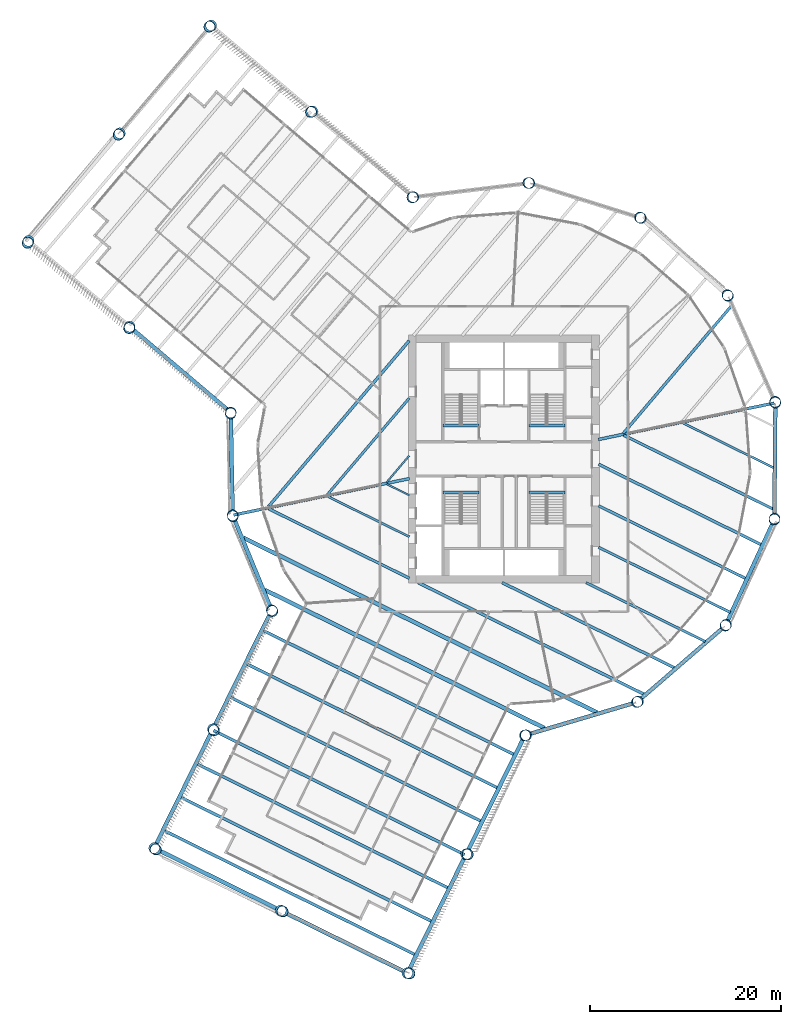
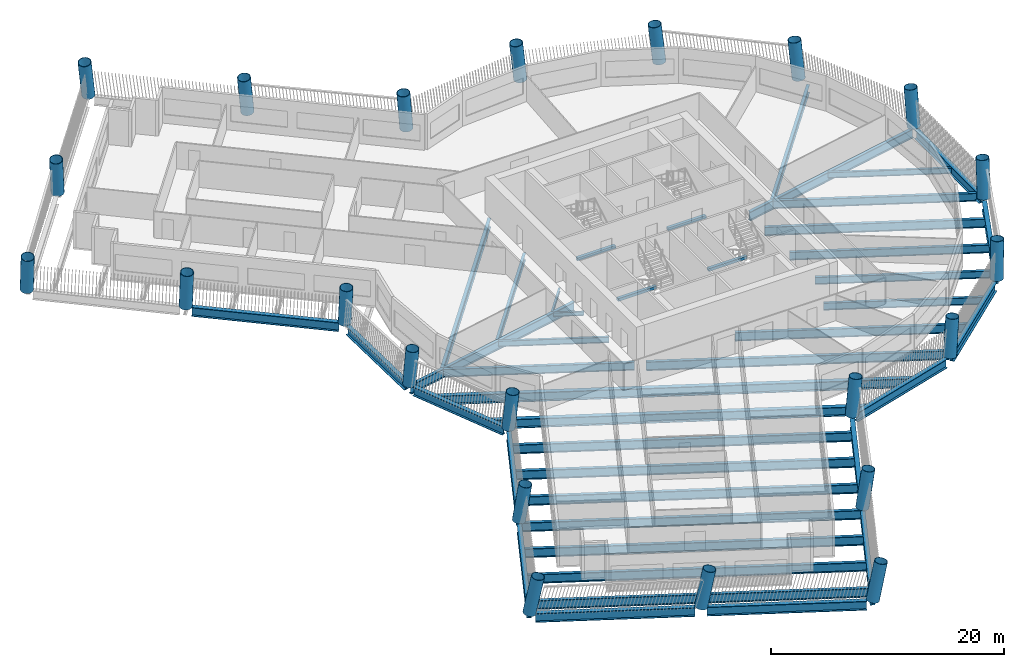
# One storey, part 1 of 16: 43 beams, 22 columns.
"""IFC4 building model written with IfcOpenShell, lengths in metres."""

from ifc_helpers import new_model, si_unit, direction, frame, origin, origin_2d, place, context, subcontext, project, spatial, rectangle, hollow_circle, i_section, extrude, material, material_profile, profile_set, type_object, element, save


model = new_model("IFC4")

# Units and contexts
model_context = context("Model", 3, precision=1e-05, world=origin(), true_north=direction((0.0, 1.0)))
body_context = subcontext(model_context, "Body", "Model", "MODEL_VIEW")
ifc_project = project(units=[si_unit("LENGTHUNIT", "METRE"), si_unit("AREAUNIT", "SQUARE_METRE"), si_unit("VOLUMEUNIT", "CUBIC_METRE"), si_unit("PLANEANGLEUNIT", "RADIAN"), si_unit("MASSUNIT", "GRAM", prefix="KILO")], contexts=[model_context])

# Site, building, storey
site_placement = place(None, origin())
site = spatial("IfcSite", under=ifc_project, at=site_placement, CompositionType="ELEMENT")
building_placement = place(site_placement, origin())
building = spatial("IfcBuilding", under=site, at=building_placement, Name="Tarsis Ring Headquarters", CompositionType="ELEMENT")
storey_placement = place(building_placement, frame((0.0, 0.0, 104.5)))
storey = spatial("IfcBuildingStorey", under=building, at=storey_placement, Name="L23", CompositionType="ELEMENT", Elevation=104.5)

# Columns
ifc_material_1 = material(Name="Structural steel S355", Category="steel")
ifc_material_profile_1 = material_profile(ifc_material_1, hollow_circle(Radius=0.584228515625, WallThickness=0.044921875, at=origin_2d()), Name="CHS 1168x45")
ifc_profile_set_1 = profile_set([ifc_material_profile_1], Name="Structural steel S355")
column_type = type_object("IfcColumnType", Name="XC Exo column CHS 1168x45", PredefinedType="COLUMN", material=ifc_profile_set_1)
for number, where, z_axis, x_axis, name in (
    (1, (-28.445068359375, -5.890869140625, 0.0009765625), (0.021185277791, -0.098636161007, 0.994898030829), (0.977702881183, 0.209993038283, 0.0), "Exo column XC3 F1"),
    (2, (-24.3427734375, -15.850830078125, 0.0009765625), (0.055642675366, -0.08411826623, 0.994901005108), (0.834040902954, 0.551702612102, 0.0), "Exo column XC3 AK"),
):
    element("IfcColumn", number, at=place(storey_placement, frame(where, z_axis=z_axis, x_axis=x_axis)), inside=storey, type_object=column_type, Name=name, PredefinedType="COLUMN", context=body_context, shape_type="SweptSolid", body=[
        extrude(hollow_circle(Radius=0.584228515625, WallThickness=0.044921875, at=origin_2d()), origin(), (0.0, 0.0, 1.0), 3.918212890625),
    ])
column_1_placement = place(storey_placement, frame((-30.50244140625, -28.31396484375, 0.0009765625), z_axis=(0.098551914361, -0.104688165633, 0.989609977795), x_axis=(0.728124051744, 0.685445377308, 0.0)))
element("IfcColumn", 3, at=column_1_placement, inside=storey, type_object=column_type, Name="Exo column XC3 AI1", PredefinedType="COLUMN", context=body_context, shape_type="SweptSolid", body=[
    extrude(hollow_circle(Radius=0.584228515625, WallThickness=0.044921875, at=origin_2d()), origin(), (0.0, 0.0, 1.0), 3.93896484375),
])
column_2_placement = place(storey_placement, frame((-36.661865234375, -40.777099609375, 0.001220703125), z_axis=(0.140643538496, -0.124770383233, 0.982166862884), x_axis=(0.66363232022, 0.748058917171, 0.0)))
element("IfcColumn", 4, at=column_2_placement, inside=storey, type_object=column_type, Name="Exo column XC3 AT1", PredefinedType="COLUMN", context=body_context, shape_type="SweptSolid", body=[
    extrude(hollow_circle(Radius=0.584228515625, WallThickness=0.044921875, at=origin_2d()), origin(), (0.0, 0.0, 1.0), 3.96826171875),
])
column_3_placement = place(storey_placement, frame((-23.39404296875, -47.33447265625, 0.001220703125), z_axis=(0.163063078499, -0.079221427635, 0.983429915059), x_axis=(0.436990371069, 0.899466183685, 0.0)))
element("IfcColumn", 5, at=column_3_placement, inside=storey, type_object=column_type, Name="Exo column XC3 AT2", PredefinedType="COLUMN", context=body_context, shape_type="SweptSolid", body=[
    extrude(hollow_circle(Radius=0.584228515625, WallThickness=0.044921875, at=origin_2d()), origin(), (0.0, 0.0, 1.0), 3.963134765625),
])
column_4_placement = place(storey_placement, frame((-10.1259765625, -53.89208984375, 0.001220703125), z_axis=(0.185002828761, -0.03340756103, 0.982169989471), x_axis=(0.177704539616, 0.984083886973, 0.0)))
element("IfcColumn", 6, at=column_4_placement, inside=storey, type_object=column_type, Name="Exo column XC3 AT3", PredefinedType="COLUMN", context=body_context, shape_type="SweptSolid", body=[
    extrude(hollow_circle(Radius=0.584228515625, WallThickness=0.044921875, at=origin_2d()), origin(), (0.0, 0.0, 1.0), 3.96826171875),
])
column_5_placement = place(storey_placement, frame((-3.96630859375, -41.4287109375, 0.0009765625), z_axis=(0.143179824792, -0.012768417276, 0.989614321487), x_axis=(0.088824992698, 0.996047248213, 0.0)))
element("IfcColumn", 7, at=column_5_placement, inside=storey, type_object=column_type, Name="Exo column XC3 AO1", PredefinedType="COLUMN", context=body_context, shape_type="SweptSolid", body=[
    extrude(hollow_circle(Radius=0.584228515625, WallThickness=0.044921875, at=origin_2d()), origin(), (0.0, 0.0, 1.0), 3.93896484375),
])
for number, where, z_axis, x_axis, name in (
    (8, (2.193359375, -28.965576171875, 0.0009765625), (0.100505846486, 0.008287214868, 0.994901953406), (-0.082176174749, 0.996617818576, 0.0), "Exo column XC3 AJ"),
    (9, (13.937744140625, -25.486328125, 0.0009765625), (0.088168392651, 0.048975517049, 0.99490086605), (-0.485590475622, 0.874186416038, 0.0), "Exo column XC3 R1"),
    (10, (23.203857421875, -17.4755859375, 0.0009765625), (0.060129137327, 0.08094067294, 0.994903560305), (-0.802735395971, 0.596335378839, 0.0), "Exo column XC3 R2"),
    (11, (28.34423828125, -6.357666015625, 0.0009765625), (0.021434534203, 0.098573933458, 0.994898859375), (-0.97716521317, 0.212480931309, 0.0), "Exo column XC3 R3"),
    (12, (28.445068359375, 5.890869140625, 0.0009765625), (-0.021185277791, 0.098636161007, 0.994898030829), (-0.977702881183, -0.209993038283, 0.0), "Exo column XC3 R4"),
    (13, (23.488037109375, 17.091796875, 0.0009765625), (-0.059941668958, 0.08118918363, 0.99489462396), (-0.804496810449, -0.593956969802, 0.0), "Exo column XC3 R5"),
    (14, (14.354736328125, 25.25390625, 0.0009765625), (-0.088043662262, 0.0492246944, 0.994899614532), (-0.48800132993, -0.872842885052, 0.0), "Exo column XC3 R6"),
    (15, (2.669189453125, 28.925537109375, 0.0009765625), (-0.100505582116, 0.008598741681, 0.994899336418), (-0.085243459999, -0.996360152017, 0.0), "Exo column XC3 R7"),
    (16, (-9.490966796875, 27.454345703125, 0.0009765625), (-0.095084735394, -0.033647285133, 0.994900373554), (0.333595543536, -0.942716295252, 0.0), "Exo column XC3 BJ"),
):
    element("IfcColumn", number, at=place(storey_placement, frame(where, z_axis=z_axis, x_axis=x_axis)), inside=storey, type_object=column_type, Name=name, PredefinedType="COLUMN", context=body_context, shape_type="SweptSolid", body=[
        extrude(hollow_circle(Radius=0.584228515625, WallThickness=0.044921875, at=origin_2d()), origin(), (0.0, 0.0, 1.0), 3.918212890625),
    ])
column_6_placement = place(storey_placement, frame((-20.09375, 36.446044921875, 0.0009765625), z_axis=(-0.125391374589, -0.070226607716, 0.989618727969), x_axis=(0.488642766932, -0.872483951901, 0.0)))
element("IfcColumn", 17, at=column_6_placement, inside=storey, type_object=column_type, Name="Exo column XC3 BO1", PredefinedType="COLUMN", context=body_context, shape_type="SweptSolid", body=[
    extrude(hollow_circle(Radius=0.584228515625, WallThickness=0.044921875, at=origin_2d()), origin(), (0.0, 0.0, 1.0), 3.938720703125),
])
column_7_placement = place(storey_placement, frame((-30.696533203125, 45.437744140625, 0.001220703125), z_axis=(-0.155101824097, -0.106251824758, 0.982167996779), x_axis=(0.565153082098, -0.824986056728, 0.0)))
element("IfcColumn", 18, at=column_7_placement, inside=storey, type_object=column_type, Name="Exo column XC3 BT3", PredefinedType="COLUMN", context=body_context, shape_type="SweptSolid", body=[
    extrude(hollow_circle(Radius=0.584228515625, WallThickness=0.044921875, at=origin_2d()), origin(), (0.0, 0.0, 1.0), 3.96826171875),
])
column_8_placement = place(storey_placement, frame((-40.26904296875, 34.150390625, 0.001220703125), z_axis=(-0.116306819308, -0.139038395751, 0.983433296309), x_axis=(0.767022133124, -0.641620641266, 0.0)))
element("IfcColumn", 19, at=column_8_placement, inside=storey, type_object=column_type, Name="Exo column XC3 BT2", PredefinedType="COLUMN", context=body_context, shape_type="SweptSolid", body=[
    extrude(hollow_circle(Radius=0.584228515625, WallThickness=0.044921875, at=origin_2d()), origin(), (0.0, 0.0, 1.0), 3.963134765625),
])
column_9_placement = place(storey_placement, frame((-49.841552734375, 22.86279296875, 0.001220703125), z_axis=(-0.077212698347, -0.171406037925, 0.982170132603), x_axis=(0.911762226204, -0.410718447195, 0.0)))
element("IfcColumn", 20, at=column_9_placement, inside=storey, type_object=column_type, Name="Exo column XC3 BT1", PredefinedType="COLUMN", context=body_context, shape_type="SweptSolid", body=[
    extrude(hollow_circle(Radius=0.584228515625, WallThickness=0.044921875, at=origin_2d()), origin(), (0.0, 0.0, 1.0), 3.96826171875),
])
column_10_placement = place(storey_placement, frame((-39.238525390625, 13.87109375, 0.0009765625), z_axis=(-0.047044581876, -0.135865248317, 0.989609742078), x_axis=(0.944955317602, -0.327199400575, 0.0)))
element("IfcColumn", 21, at=column_10_placement, inside=storey, type_object=column_type, Name="Exo column XC3 BI1", PredefinedType="COLUMN", context=body_context, shape_type="SweptSolid", body=[
    extrude(hollow_circle(Radius=0.584228515625, WallThickness=0.044921875, at=origin_2d()), origin(), (0.0, 0.0, 1.0), 3.93896484375),
])
column_11_placement = place(storey_placement, frame((-28.6357421875, 4.879150390625, 0.0009765625), z_axis=(-0.016262909603, -0.099509067571, 0.994903745717), x_axis=(0.986906795058, -0.16129159268, 0.0)))
element("IfcColumn", 22, at=column_11_placement, inside=storey, type_object=column_type, Name="Exo column XC3 BK", PredefinedType="COLUMN", context=body_context, shape_type="SweptSolid", body=[
    extrude(hollow_circle(Radius=0.584228515625, WallThickness=0.044921875, at=origin_2d()), origin(), (0.0, 0.0, 1.0), 3.918212890625),
])

# Beams
ifc_material_profile_2 = material_profile(ifc_material_1, i_section(OverallWidth=0.177734375, OverallDepth=0.406494140625, WebThickness=0.0078125, FlangeThickness=0.0126953125, at=origin_2d()), Name="W16x40")
ifc_profile_set_2 = profile_set([ifc_material_profile_2], Name="Structural steel S355")
beam_type_1 = type_object("IfcBeamType", Name="FB Floor beam W16x40", PredefinedType="JOIST", material=ifc_profile_set_2)
beam_1_placement = place(storey_placement, frame((-12.27001953125, -2.636474609375, -0.36328125), z_axis=(0.896476870233, -0.443090533793, 0.0), x_axis=(0.443090533793, 0.896476870233, 0.0)))
element("IfcBeam", 23, at=beam_1_placement, inside=storey, type_object=beam_type_1, Name="Floor beam FB1", PredefinedType="JOIST", context=body_context, shape_type="SweptSolid", body=[
    extrude(i_section(OverallWidth=0.177734375, OverallDepth=0.406494140625, WebThickness=0.0078125, FlangeThickness=0.0126953125, at=origin_2d()), origin(), (0.0, 0.0, 1.0), 2.632080078125),
])
beam_2_placement = place(storey_placement, frame((-9.935302734375, 0.34423828125, -0.36328125), z_axis=(-0.646792152272, -0.762666317441, 0.0), x_axis=(0.762666317441, -0.646792152272, 0.0)))
element("IfcBeam", 24, at=beam_2_placement, inside=storey, type_object=beam_type_1, Name="Floor beam FB1", PredefinedType="JOIST", context=body_context, shape_type="SweptSolid", body=[
    extrude(i_section(OverallWidth=0.177734375, OverallDepth=0.406494140625, WebThickness=0.0078125, FlangeThickness=0.0126953125, at=origin_2d()), origin(), (0.0, 0.0, 1.0), 3.668212890625),
])
ifc_material_profile_3 = material_profile(ifc_material_1, i_section(OverallWidth=0.228271484375, OverallDepth=0.607177734375, WebThickness=0.01123046875, FlangeThickness=0.017333984375, at=origin_2d()), Name="W24x76")
ifc_profile_set_3 = profile_set([ifc_material_profile_3], Name="Structural steel S355")
beam_type_2 = type_object("IfcBeamType", Name="FB Floor beam W24x76", PredefinedType="JOIST", material=ifc_profile_set_3)
beam_3_placement = place(storey_placement, frame((18.7451171875, 3.78662109375, -0.463623046875), z_axis=(0.896481817589, -0.443080523983, 0.0), x_axis=(0.443080523983, 0.896481817589, 0.0)))
element("IfcBeam", 25, at=beam_3_placement, inside=storey, type_object=beam_type_2, Name="Floor beam FB4", PredefinedType="JOIST", context=body_context, shape_type="SweptSolid", body=[
    extrude(i_section(OverallWidth=0.228271484375, OverallDepth=0.607177734375, WebThickness=0.01123046875, FlangeThickness=0.017333984375, at=origin_2d()), origin(), (0.0, 0.0, 1.0), 10.621337890625),
])
beam_4_placement = place(storey_placement, frame((-18.47314453125, -3.9208984375, -0.463623046875), z_axis=(0.896488016939, -0.443067980658, 0.0), x_axis=(0.443067980658, 0.896488016939, 0.0)))
element("IfcBeam", 26, at=beam_4_placement, inside=storey, type_object=beam_type_2, Name="Floor beam FB4", PredefinedType="JOIST", context=body_context, shape_type="SweptSolid", body=[
    extrude(i_section(OverallWidth=0.228271484375, OverallDepth=0.607177734375, WebThickness=0.01123046875, FlangeThickness=0.017333984375, at=origin_2d()), origin(), (0.0, 0.0, 1.0), 9.551513671875),
])
ifc_material_profile_4 = material_profile(ifc_material_1, i_section(OverallWidth=0.2666015625, OverallDepth=0.7568359375, WebThickness=0.013916015625, FlangeThickness=0.019287109375, at=origin_2d()), Name="W30x108")
ifc_profile_set_4 = profile_set([ifc_material_profile_4], Name="Structural steel S355")
beam_type_3 = type_object("IfcBeamType", Name="FB Floor beam W30x108", PredefinedType="JOIST", material=ifc_profile_set_4)
beam_5_placement = place(storey_placement, frame((9.910400390625, -9.248291015625, -0.538330078125), z_axis=(0.89648644754, -0.44307115611, 0.0), x_axis=(0.44307115611, 0.89648644754, 0.0)))
element("IfcBeam", 27, at=beam_5_placement, inside=storey, type_object=beam_type_3, Name="Floor beam FB6", PredefinedType="JOIST", context=body_context, shape_type="SweptSolid", body=[
    extrude(i_section(OverallWidth=0.2666015625, OverallDepth=0.7568359375, WebThickness=0.013916015625, FlangeThickness=0.019287109375, at=origin_2d()), origin(), (0.0, 0.0, 1.0), 15.412109375),
])
beam_6_placement = place(storey_placement, frame((8.609375, -12.955810546875, -0.538330078125), z_axis=(0.896494877666, -0.443054098637, 0.0), x_axis=(0.443054098637, 0.896494877666, 0.0)))
element("IfcBeam", 28, at=beam_6_placement, inside=storey, type_object=beam_type_3, Name="Floor beam FB6", PredefinedType="JOIST", context=body_context, shape_type="SweptSolid", body=[
    extrude(i_section(OverallWidth=0.2666015625, OverallDepth=0.7568359375, WebThickness=0.013916015625, FlangeThickness=0.019287109375, at=origin_2d()), origin(), (0.0, 0.0, 1.0), 13.9384765625),
])
beam_7_placement = place(storey_placement, frame((-9.935302734375, 6.3740234375, -0.538330078125), z_axis=(-0.646791210126, -0.762667116443, 0.0), x_axis=(0.762667116443, -0.646791210126, 0.0)))
element("IfcBeam", 29, at=beam_7_placement, inside=storey, type_object=beam_type_3, Name="Floor beam FB6", PredefinedType="JOIST", context=body_context, shape_type="SweptSolid", body=[
    extrude(i_section(OverallWidth=0.2666015625, OverallDepth=0.7568359375, WebThickness=0.013916015625, FlangeThickness=0.019287109375, at=origin_2d()), origin(), (0.0, 0.0, 1.0), 13.2587890625),
])
ifc_material_profile_5 = material_profile(ifc_material_1, i_section(OverallWidth=0.2919921875, OverallDepth=0.835693359375, WebThickness=0.013916015625, FlangeThickness=0.018798828125, at=origin_2d()), Name="W33x118")
ifc_profile_set_5 = profile_set([ifc_material_profile_5], Name="Structural steel S355")
beam_type_4 = type_object("IfcBeamType", Name="FB Floor beam W33x118", PredefinedType="JOIST", material=ifc_profile_set_5)
beam_8_placement = place(storey_placement, frame((12.5419921875, 2.501953125, -0.577880859375), z_axis=(0.896485060806, -0.443073961942, 0.0), x_axis=(0.443073961942, 0.896485060806, 0.0)))
element("IfcBeam", 30, at=beam_8_placement, inside=storey, type_object=beam_type_4, Name="Floor beam FB7", PredefinedType="JOIST", context=body_context, shape_type="SweptSolid", body=[
    extrude(i_section(OverallWidth=0.2919921875, OverallDepth=0.835693359375, WebThickness=0.013916015625, FlangeThickness=0.018798828125, at=origin_2d()), origin(), (0.0, 0.0, 1.0), 17.500732421875),
])
beam_9_placement = place(storey_placement, frame((9.910400390625, -4.89794921875, -0.577880859375), z_axis=(0.896482573274, -0.443078995006, 0.0), x_axis=(0.443078995006, 0.896482573274, 0.0)))
element("IfcBeam", 31, at=beam_9_placement, inside=storey, type_object=beam_type_4, Name="Floor beam FB7", PredefinedType="JOIST", context=body_context, shape_type="SweptSolid", body=[
    extrude(i_section(OverallWidth=0.2919921875, OverallDepth=0.835693359375, WebThickness=0.013916015625, FlangeThickness=0.018798828125, at=origin_2d()), origin(), (0.0, 0.0, 1.0), 17.23828125),
])
beam_10_placement = place(storey_placement, frame((-24.67626953125, -5.20556640625, -0.577880859375), z_axis=(0.896489798181, -0.443064376539, 0.0), x_axis=(0.443064376539, 0.896489798181, 0.0)))
element("IfcBeam", 32, at=beam_10_placement, inside=storey, type_object=beam_type_4, Name="Floor beam FB7", PredefinedType="JOIST", context=body_context, shape_type="SweptSolid", body=[
    extrude(i_section(OverallWidth=0.2919921875, OverallDepth=0.835693359375, WebThickness=0.013916015625, FlangeThickness=0.018798828125, at=origin_2d()), origin(), (0.0, 0.0, 1.0), 16.470703125),
])
beam_11_placement = place(storey_placement, frame((23.823486328125, 16.0322265625, -0.577880859375), z_axis=(-0.646786698369, -0.762670942683, 0.0), x_axis=(0.762670942683, -0.646786698369, 0.0)))
element("IfcBeam", 33, at=beam_11_placement, inside=storey, type_object=beam_type_4, Name="Floor beam FB7", PredefinedType="JOIST", context=body_context, shape_type="SweptSolid", body=[
    extrude(i_section(OverallWidth=0.2919921875, OverallDepth=0.835693359375, WebThickness=0.013916015625, FlangeThickness=0.018798828125, at=origin_2d()), origin(), (0.0, 0.0, 1.0), 17.5009765625),
])
ifc_material_profile_6 = material_profile(ifc_material_1, i_section(OverallWidth=0.3046875, OverallDepth=0.904296875, WebThickness=0.01513671875, FlangeThickness=0.02001953125, at=origin_2d()), Name="W36x135")
ifc_profile_set_6 = profile_set([ifc_material_profile_6], Name="Structural steel S355")
beam_type_5 = type_object("IfcBeamType", Name="FB Floor beam W36x135", PredefinedType="JOIST", material=ifc_profile_set_6)
beam_12_placement = place(storey_placement, frame((9.910400390625, -0.547607421875, -0.612060546875), z_axis=(0.896484527942, -0.443075040101, 0.0), x_axis=(0.443075040101, 0.896484527942, 0.0)))
element("IfcBeam", 34, at=beam_12_placement, inside=storey, type_object=beam_type_5, Name="Floor beam FB8", PredefinedType="JOIST", context=body_context, shape_type="SweptSolid", body=[
    extrude(i_section(OverallWidth=0.3046875, OverallDepth=0.904296875, WebThickness=0.01513671875, FlangeThickness=0.02001953125, at=origin_2d()), origin(), (0.0, 0.0, 1.0), 19.064453125),
])
beam_13_placement = place(storey_placement, frame((-0.192626953125, -12.955810546875, -0.612060546875), z_axis=(0.896485853394, -0.443072358271, 0.0), x_axis=(0.443072358271, 0.896485853394, 0.0)))
element("IfcBeam", 35, at=beam_13_placement, inside=storey, type_object=beam_type_5, Name="Floor beam FB8", PredefinedType="JOIST", context=body_context, shape_type="SweptSolid", body=[
    extrude(i_section(OverallWidth=0.3046875, OverallDepth=0.904296875, WebThickness=0.01513671875, FlangeThickness=0.02001953125, at=origin_2d()), origin(), (0.0, 0.0, 1.0), 20.185302734375),
])
ifc_material_profile_7 = material_profile(ifc_material_1, i_section(OverallWidth=0.3046875, OverallDepth=0.91943359375, WebThickness=0.017333984375, FlangeThickness=0.02783203125, at=origin_2d()), Name="W36x170")
ifc_profile_set_7 = profile_set([ifc_material_profile_7], Name="Structural steel S355")
beam_type_6 = type_object("IfcBeamType", Name="FB Floor beam W36x170", PredefinedType="JOIST", material=ifc_profile_set_7)
beam_14_placement = place(storey_placement, frame((-9.935302734375, 12.40380859375, -0.61962890625), z_axis=(-0.646791058876, -0.762667244713, 0.0), x_axis=(0.762667244713, -0.646791058876, 0.0)))
element("IfcBeam", 36, at=beam_14_placement, inside=storey, type_object=beam_type_6, Name="Floor beam FB9", PredefinedType="JOIST", context=body_context, shape_type="SweptSolid", body=[
    extrude(i_section(OverallWidth=0.3046875, OverallDepth=0.91943359375, WebThickness=0.017333984375, FlangeThickness=0.02783203125, at=origin_2d()), origin(), (0.0, 0.0, 1.0), 22.849365234375),
])
ifc_material_profile_8 = material_profile(ifc_material_1, i_section(OverallWidth=0.309814453125, OverallDepth=0.93212890625, WebThickness=0.02099609375, FlangeThickness=0.034423828125, at=origin_2d()), Name="W36x210")
ifc_profile_set_8 = profile_set([ifc_material_profile_8], Name="Structural steel S355")
beam_type_7 = type_object("IfcBeamType", Name="FB Floor beam W36x210", PredefinedType="JOIST", material=ifc_profile_set_8)
beam_15_placement = place(storey_placement, frame((-8.994873046875, -12.955810546875, -0.626220703125), z_axis=(0.896488389742, -0.443067226341, 0.0), x_axis=(0.443067226341, 0.896488389742, 0.0)))
element("IfcBeam", 37, at=beam_15_placement, inside=storey, type_object=beam_type_7, Name="Floor beam FB10", PredefinedType="JOIST", context=body_context, shape_type="SweptSolid", body=[
    extrude(i_section(OverallWidth=0.309814453125, OverallDepth=0.93212890625, WebThickness=0.02099609375, FlangeThickness=0.034423828125, at=origin_2d()), origin(), (0.0, 0.0, 1.0), 26.4326171875),
])
ifc_material_profile_9 = material_profile(ifc_material_1, i_section(OverallWidth=0.309814453125, OverallDepth=0.949951171875, WebThickness=0.0244140625, FlangeThickness=0.0439453125, at=origin_2d()), Name="W36x256")
ifc_profile_set_9 = profile_set([ifc_material_profile_9], Name="Structural steel S355")
beam_type_8 = type_object("IfcBeamType", Name="FB Floor beam W36x256", PredefinedType="JOIST", material=ifc_profile_set_9)
beam_16_placement = place(storey_placement, frame((-25.263427734375, -17.96630859375, -0.635009765625), z_axis=(0.896487025836, -0.443069986014, 0.0), x_axis=(0.443069986014, 0.896487025836, 0.0)))
element("IfcBeam", 38, at=beam_16_placement, inside=storey, type_object=beam_type_8, Name="Floor beam FB11", PredefinedType="JOIST", context=body_context, shape_type="SweptSolid", body=[
    extrude(i_section(OverallWidth=0.309814453125, OverallDepth=0.949951171875, WebThickness=0.0244140625, FlangeThickness=0.0439453125, at=origin_2d()), origin(), (0.0, 0.0, 1.0), 29.3759765625),
])
for number, where, z_axis, x_axis, name in (
    (39, (-26.9912109375, -21.462646484375, -0.635009765625), (0.8964853943, -0.443073287174, 0.0), (0.443073287174, 0.8964853943, 0.0), "Floor beam FB11"),
    (40, (-28.71923828125, -24.958984375, -0.635009765625), (0.896488695468, -0.443066607744, 0.0), (0.443066607744, 0.896488695468, 0.0), "Floor beam FB11"),
    (41, (-30.447265625, -28.455078125, -0.635009765625), (0.8964853943, -0.443073287174, 0.0), (0.443073287174, 0.8964853943, 0.0), "Floor beam FB11"),
    (42, (-32.17529296875, -31.951416015625, -0.635009765625), (0.8964853943, -0.443073287174, 0.0), (0.443073287174, 0.8964853943, 0.0), "Floor beam FB11"),
):
    element("IfcBeam", number, at=place(storey_placement, frame(where, z_axis=z_axis, x_axis=x_axis)), inside=storey, type_object=beam_type_8, Name=name, PredefinedType="JOIST", context=body_context, shape_type="SweptSolid", body=[
        extrude(i_section(OverallWidth=0.309814453125, OverallDepth=0.949951171875, WebThickness=0.0244140625, FlangeThickness=0.0439453125, at=origin_2d()), origin(), (0.0, 0.0, 1.0), 29.375732421875),
    ])
beam_17_placement = place(storey_placement, frame((-33.9033203125, -35.44775390625, -0.635009765625), z_axis=(0.896487025836, -0.443069986014, 0.0), x_axis=(0.443069986014, 0.896487025836, 0.0)))
element("IfcBeam", 43, at=beam_17_placement, inside=storey, type_object=beam_type_8, Name="Floor beam FB11", PredefinedType="JOIST", context=body_context, shape_type="SweptSolid", body=[
    extrude(i_section(OverallWidth=0.309814453125, OverallDepth=0.949951171875, WebThickness=0.0244140625, FlangeThickness=0.0439453125, at=origin_2d()), origin(), (0.0, 0.0, 1.0), 29.3759765625),
])
beam_18_placement = place(storey_placement, frame((-35.631103515625, -38.944091796875, -0.635009765625), z_axis=(0.8964853943, -0.443073287174, 0.0), x_axis=(0.443073287174, 0.8964853943, 0.0)))
element("IfcBeam", 44, at=beam_18_placement, inside=storey, type_object=beam_type_8, Name="Floor beam FB11", PredefinedType="JOIST", context=body_context, shape_type="SweptSolid", body=[
    extrude(i_section(OverallWidth=0.309814453125, OverallDepth=0.949951171875, WebThickness=0.0244140625, FlangeThickness=0.0439453125, at=origin_2d()), origin(), (0.0, 0.0, 1.0), 29.375732421875),
])
beam_type_9 = type_object("IfcBeamType", Name="FB Floor beam W36x256 spine", PredefinedType="BEAM", material=ifc_profile_set_9)
beam_19_placement = place(storey_placement, frame((-9.902099609375, -2.050537109375, -0.635009765625), z_axis=(-0.979221796173, -0.202792193882, 0.0), x_axis=(0.202792193882, -0.979221796173, 0.0)))
element("IfcBeam", 45, at=beam_19_placement, inside=storey, type_object=beam_type_9, Name="Floor beam SB11", PredefinedType="BEAM", context=body_context, shape_type="SweptSolid", body=[
    extrude(i_section(OverallWidth=0.309814453125, OverallDepth=0.949951171875, WebThickness=0.0244140625, FlangeThickness=0.0439453125, at=origin_2d()), origin(), (0.0, 0.0, 1.0), 18.820556640625),
])
beam_20_placement = place(storey_placement, frame((28.330322265625, 5.866943359375, -0.635009765625), z_axis=(-0.979221704781, -0.202792635186, 0.0), x_axis=(0.202792635186, -0.979221704781, 0.0)))
element("IfcBeam", 46, at=beam_20_placement, inside=storey, type_object=beam_type_9, Name="Floor beam SB11", PredefinedType="BEAM", context=body_context, shape_type="SweptSolid", body=[
    extrude(i_section(OverallWidth=0.309814453125, OverallDepth=0.949951171875, WebThickness=0.0244140625, FlangeThickness=0.0439453125, at=origin_2d()), origin(), (0.0, 0.0, 1.0), 18.8193359375),
])
ifc_material_profile_10 = material_profile(ifc_material_1, i_section(OverallWidth=0.42431640625, OverallDepth=0.947509765625, WebThickness=0.02392578125, FlangeThickness=0.042724609375, at=origin_2d()), Name="W36x302")
ifc_profile_set_10 = profile_set([ifc_material_profile_10], Name="Structural steel S355")
beam_type_10 = type_object("IfcBeamType", Name="FB Floor beam W36x302", PredefinedType="JOIST", material=ifc_profile_set_10)
beam_21_placement = place(storey_placement, frame((-27.314453125, -8.251953125, -0.6337890625), z_axis=(0.896487486194, -0.443069054547, 0.0), x_axis=(0.443069054547, 0.896487486194, 0.0)))
element("IfcBeam", 47, at=beam_21_placement, inside=storey, type_object=beam_type_10, Name="Floor beam FB12", PredefinedType="JOIST", context=body_context, shape_type="SweptSolid", body=[
    extrude(i_section(OverallWidth=0.42431640625, OverallDepth=0.947509765625, WebThickness=0.02392578125, FlangeThickness=0.042724609375, at=origin_2d()), origin(), (0.0, 0.0, 1.0), 41.35302734375),
])
beam_22_placement = place(storey_placement, frame((-25.064697265625, -13.714111328125, -0.6337890625), z_axis=(0.896486914426, -0.443070211437, 0.0), x_axis=(0.443070211437, 0.896486914426, 0.0)))
element("IfcBeam", 48, at=beam_22_placement, inside=storey, type_object=beam_type_10, Name="Floor beam FB12", PredefinedType="JOIST", context=body_context, shape_type="SweptSolid", body=[
    extrude(i_section(OverallWidth=0.42431640625, OverallDepth=0.947509765625, WebThickness=0.02392578125, FlangeThickness=0.042724609375, at=origin_2d()), origin(), (0.0, 0.0, 1.0), 32.70458984375),
])
ifc_material_2 = material(Name="Concrete C40/50", Category="concrete")
ifc_material_profile_11 = material_profile(ifc_material_2, rectangle(XDim=0.300048828125, YDim=0.300048828125, at=origin_2d()), Name="Stair head beam 300x300 C40/50")
ifc_profile_set_11 = profile_set([ifc_material_profile_11], Name="Concrete C40/50")
beam_type_11 = type_object("IfcBeamType", Name="Stair head beam 300x300 C40/50", PredefinedType="BEAM", material=ifc_profile_set_11)
for number, where, z_axis, x_axis, name in (
    (49, (-6.39990234375, 3.510009765625, -0.31005859375), (1.0, 0.0, 0.0), (0.0, 1.0, 0.0), "Stair head beam L23 Firefighting stair"),
    (50, (2.60009765625, 3.510009765625, -0.31005859375), (1.0, 0.0, 0.0), (0.0, 1.0, 0.0), "Stair head beam L23 Exit stair B"),
    (51, (-6.39990234375, -3.510009765625, -0.31005859375), (1.0, 0.0, 0.0), (0.0, 1.0, 0.0), "Stair head beam L23 Exit stair C"),
    (52, (2.60009765625, -3.510009765625, -0.31005859375), (1.0, 0.0, 0.0), (0.0, 1.0, 0.0), "Stair head beam L23 Exit stair D"),
):
    element("IfcBeam", number, at=place(storey_placement, frame(where, z_axis=z_axis, x_axis=x_axis)), inside=storey, type_object=beam_type_11, Name=name, PredefinedType="BEAM", context=body_context, shape_type="SweptSolid", body=[
        extrude(rectangle(XDim=0.300048828125, YDim=0.300048828125, at=origin_2d()), origin(), (0.0, 0.0, 1.0), 3.7998046875),
    ])
beam_type_12 = type_object("IfcBeamType", Name="XG Ring girder W36x302", PredefinedType="BEAM", material=ifc_profile_set_10)
beam_23_placement = place(storey_placement, frame((-28.24462890625, -6.376708984375, -0.4736328125), z_axis=(0.380820547247, -0.924648966254, 0.0), x_axis=(0.924648966254, 0.380820547247, 0.0)))
element("IfcBeam", 53, at=beam_23_placement, inside=storey, type_object=beam_type_12, Name="Ring girder XG1", PredefinedType="BEAM", context=body_context, shape_type="SweptSolid", body=[
    extrude(i_section(OverallWidth=0.42431640625, OverallDepth=0.947509765625, WebThickness=0.02392578125, FlangeThickness=0.042724609375, at=origin_2d()), origin(), (0.0, 0.0, 1.0), 9.72021484375),
])
for number, where, z_axis, x_axis, name in (
    (54, (-24.57568359375, -16.322021484375, -0.4736328125), (-0.443074821559, -0.896484635954, 0.0), (0.896484635954, -0.443074821559, 0.0), "Ring girder XG1"),
    (55, (-30.7353515625, -28.78515625, -0.4736328125), (-0.443074821559, -0.896484635954, 0.0), (0.896484635954, -0.443074821559, 0.0), "Ring girder XG1"),
):
    element("IfcBeam", number, at=place(storey_placement, frame(where, z_axis=z_axis, x_axis=x_axis)), inside=storey, type_object=beam_type_12, Name=name, PredefinedType="BEAM", context=body_context, shape_type="SweptSolid", body=[
        extrude(i_section(OverallWidth=0.42431640625, OverallDepth=0.947509765625, WebThickness=0.02392578125, FlangeThickness=0.042724609375, at=origin_2d()), origin(), (0.0, 0.0, 1.0), 12.850830078125),
    ])
for number, where, z_axis, x_axis, name in (
    (56, (-36.19091796875, -41.010009765625, -0.4736328125), (0.896488130966, -0.44306774994, 0.0), (0.44306774994, 0.896488130966, 0.0), "Ring girder XG1"),
    (57, (-22.9228515625, -47.5673828125, -0.4736328125), (0.896488130966, -0.44306774994, 0.0), (0.44306774994, 0.896488130966, 0.0), "Ring girder XG1"),
):
    element("IfcBeam", number, at=place(storey_placement, frame(where, z_axis=z_axis, x_axis=x_axis)), inside=storey, type_object=beam_type_12, Name=name, PredefinedType="BEAM", context=body_context, shape_type="SweptSolid", body=[
        extrude(i_section(OverallWidth=0.42431640625, OverallDepth=0.947509765625, WebThickness=0.02392578125, FlangeThickness=0.042724609375, at=origin_2d()), origin(), (0.0, 0.0, 1.0), 13.74853515625),
    ])
beam_24_placement = place(storey_placement, frame((-9.893310546875, -53.420654296875, -0.4736328125), z_axis=(0.443074821559, 0.896484635954, 0.0), x_axis=(-0.896484635954, 0.443074821559, 0.0)))
element("IfcBeam", 58, at=beam_24_placement, inside=storey, type_object=beam_type_12, Name="Ring girder XG1", PredefinedType="BEAM", context=body_context, shape_type="SweptSolid", body=[
    extrude(i_section(OverallWidth=0.42431640625, OverallDepth=0.947509765625, WebThickness=0.02392578125, FlangeThickness=0.042724609375, at=origin_2d()), origin(), (0.0, 0.0, 1.0), 12.850830078125),
])
beam_25_placement = place(storey_placement, frame((-3.7333984375, -40.95751953125, -0.4736328125), z_axis=(0.443059552844, 0.896492182137, 0.0), x_axis=(-0.896492182137, 0.443059552844, 0.0)))
element("IfcBeam", 59, at=beam_25_placement, inside=storey, type_object=beam_type_12, Name="Ring girder XG1", PredefinedType="BEAM", context=body_context, shape_type="SweptSolid", body=[
    extrude(i_section(OverallWidth=0.42431640625, OverallDepth=0.947509765625, WebThickness=0.02392578125, FlangeThickness=0.042724609375, at=origin_2d()), origin(), (0.0, 0.0, 1.0), 12.8505859375),
])
for number, where, z_axis, x_axis, name in (
    (60, (2.697265625, -28.816162109375, -0.4736328125), (0.958813728473, 0.284035621167, 0.0), (-0.284035621167, 0.958813728473, 0.0), "Ring girder XG1"),
    (61, (14.335205078125, -25.142578125, -0.4736328125), (0.756496401766, 0.653997854824, 0.0), (-0.653997854824, 0.756496401766, 0.0), "Ring girder XG1"),
    (62, (23.42431640625, -16.99853515625, -0.4736328125), (0.419671980534, 0.907675839028, 0.0), (-0.907675839028, 0.419671980534, 0.0), "Ring girder XG1"),
):
    element("IfcBeam", number, at=place(storey_placement, frame(where, z_axis=z_axis, x_axis=x_axis)), inside=storey, type_object=beam_type_12, Name=name, PredefinedType="BEAM", context=body_context, shape_type="SweptSolid", body=[
        extrude(i_section(OverallWidth=0.42431640625, OverallDepth=0.947509765625, WebThickness=0.02392578125, FlangeThickness=0.042724609375, at=origin_2d()), origin(), (0.0, 0.0, 1.0), 11.197265625),
    ])
beam_26_placement = place(storey_placement, frame((28.3486328125, -5.83203125, -0.4736328125), z_axis=(0.008219856171, 0.999966216412, 0.0), x_axis=(-0.999966216412, 0.008219856171, 0.0)))
element("IfcBeam", 63, at=beam_26_placement, inside=storey, type_object=beam_type_12, Name="Ring girder XG1", PredefinedType="BEAM", context=body_context, shape_type="SweptSolid", body=[
    extrude(i_section(OverallWidth=0.42431640625, OverallDepth=0.947509765625, WebThickness=0.02392578125, FlangeThickness=0.042724609375, at=origin_2d()), origin(), (0.0, 0.0, 1.0), 11.197509765625),
])
beam_27_placement = place(storey_placement, frame((-38.837646484375, 13.531005859375, -0.4736328125), z_axis=(0.762673838288, -0.646783283945, 0.0), x_axis=(0.646783283945, 0.762673838288, 0.0)))
element("IfcBeam", 64, at=beam_27_placement, inside=storey, type_object=beam_type_12, Name="Ring girder XG1", PredefinedType="BEAM", context=body_context, shape_type="SweptSolid", body=[
    extrude(i_section(OverallWidth=0.42431640625, OverallDepth=0.947509765625, WebThickness=0.02392578125, FlangeThickness=0.042724609375, at=origin_2d()), origin(), (0.0, 0.0, 1.0), 12.8505859375),
])
beam_28_placement = place(storey_placement, frame((-28.62646484375, 4.353759765625, -0.4736328125), z_axis=(0.017707231369, -0.999843214688, 0.0), x_axis=(0.999843214688, 0.017707231369, 0.0)))
element("IfcBeam", 65, at=beam_28_placement, inside=storey, type_object=beam_type_12, Name="Ring girder XG1", PredefinedType="BEAM", context=body_context, shape_type="SweptSolid", body=[
    extrude(i_section(OverallWidth=0.42431640625, OverallDepth=0.947509765625, WebThickness=0.02392578125, FlangeThickness=0.042724609375, at=origin_2d()), origin(), (0.0, 0.0, 1.0), 9.72021484375),
])

save(model, "model.ifc")
